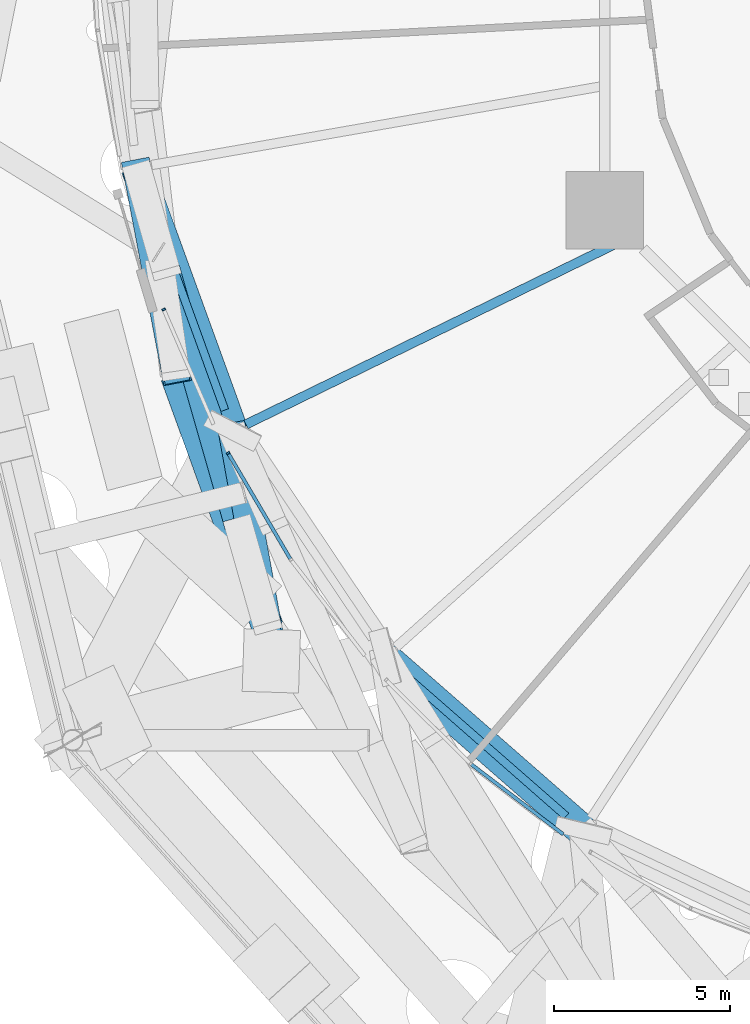
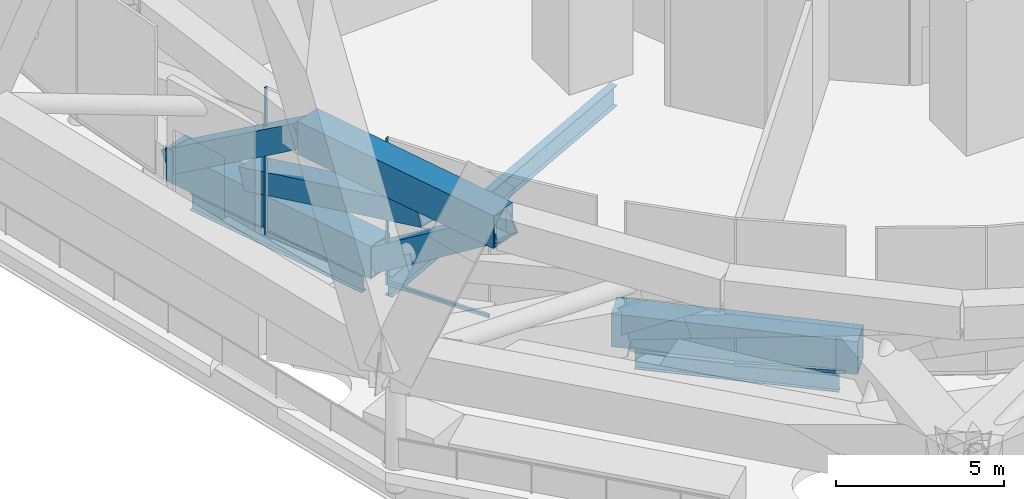
# One storey, part 6 of 65: 9 beams, 4 members, 3 elements without a shape of their own.
"""IFC4 building model written with IfcOpenShell, lengths in metres."""

from ifc_helpers import new_model, si_unit, direction, frame, origin, origin_2d, place, context, subcontext, project, spatial, rectangle, hollow_rectangle, i_section, extrude, material, layer, layer_set, material_profile, profile_set, type_object, element, aggregate, save


model = new_model("IFC4")

# Units and contexts
model_context = context("Model", 3, precision=1e-05, world=origin(), true_north=direction((0.0, 1.0)))
body_context = subcontext(model_context, "Body", "Model", "MODEL_VIEW")
ifc_project = project(units=[si_unit("LENGTHUNIT", "METRE"), si_unit("AREAUNIT", "SQUARE_METRE"), si_unit("VOLUMEUNIT", "CUBIC_METRE"), si_unit("PLANEANGLEUNIT", "RADIAN"), si_unit("MASSUNIT", "GRAM", prefix="KILO")], contexts=[model_context])

# Site, building, storey
site_placement = place(None, origin())
site = spatial("IfcSite", under=ifc_project, at=site_placement, CompositionType="ELEMENT")
building_placement = place(site_placement, origin())
building = spatial("IfcBuilding", under=site, at=building_placement, Name="Nagisa Residences", CompositionType="ELEMENT")
storey_placement = place(building_placement, frame((0.0, 0.0, 114.0)))
storey = spatial("IfcBuildingStorey", under=building, at=storey_placement, Name="L28", CompositionType="ELEMENT", Elevation=114.0)

# Beams
ifc_material_1 = material(Name="Steel ASTM A572 Gr 50", Category="steel")
ifc_material_profile_1 = material_profile(ifc_material_1, hollow_rectangle(XDim=0.89990234375, YDim=1.199951171875, WallThickness=0.050048828125, at=origin_2d()), Name="BX 900x1200x50")
ifc_profile_set_1 = profile_set([ifc_material_profile_1], Name="Steel ASTM A572 Gr 50")
beam_type_1 = type_object("IfcBeamType", Name="Belt chord 2 BX 900x1200x50", PredefinedType="BEAM", material=ifc_profile_set_1)
beam_1_placement = place(storey_placement, frame((-28.068359375, -4.90966796875, 0.60009765625), z_axis=(0.341378490928, -0.939925915129, 0.0), x_axis=(0.939925915129, 0.341378490928, 0.0)))
element("IfcBeam", 1, at=beam_1_placement, inside=storey, type_object=beam_type_1, Name="beam:L28:bt2b14", PredefinedType="BEAM", context=body_context, shape_type="SweptSolid", body=[
    extrude(hollow_rectangle(XDim=0.89990234375, YDim=1.199951171875, WallThickness=0.050048828125, at=origin_2d()), origin(), (0.0, 0.0, 1.0), 7.958251953125),
])
beam_2_placement = place(storey_placement, frame((-26.947998046875, -10.80322265625, 4.739990234375), z_axis=(0.341367428201, -0.939929933008, 0.0), x_axis=(0.939929933008, 0.341367428201, 0.0)))
element("IfcBeam", 2, at=beam_2_placement, inside=storey, type_object=beam_type_1, Name="beam:L28:bt2t14", PredefinedType="BEAM", context=body_context, shape_type="SweptSolid", body=[
    extrude(hollow_rectangle(XDim=0.89990234375, YDim=1.199951171875, WallThickness=0.050048828125, at=origin_2d()), origin(), (0.0, 0.0, 1.0), 7.61962890625),
])
beam_3_placement = place(storey_placement, frame((-21.02978515625, -18.813232421875, 0.60009765625), z_axis=(0.752532238076, -0.658555411986, 0.0), x_axis=(0.658555411986, 0.752532238076, 0.0)))
element("IfcBeam", 3, at=beam_3_placement, inside=storey, type_object=beam_type_1, Name="beam:L28:bt2b16", PredefinedType="BEAM", context=body_context, shape_type="SweptSolid", body=[
    extrude(hollow_rectangle(XDim=0.89990234375, YDim=1.199951171875, WallThickness=0.050048828125, at=origin_2d()), origin(), (0.0, 0.0, 1.0), 7.484375),
])
ifc_material_2 = material(Name="Steel ASTM A572 Gr 50", Category="steel")
ifc_material_profile_2 = material_profile(ifc_material_2, hollow_rectangle(XDim=0.800048828125, YDim=0.800048828125, WallThickness=0.044921875, at=origin_2d()), Name="BX 800x800x45")
ifc_profile_set_2 = profile_set([ifc_material_profile_2], Name="Steel ASTM A572 Gr 50")
beam_type_2 = type_object("IfcBeamType", Name="Belt diagonal 2 BX 800x800x45", PredefinedType="BEAM", material=ifc_profile_set_2)
beam_4_placement = place(storey_placement, frame((-28.068359375, -4.90966796875, 0.60009765625), z_axis=(0.153708100819, -0.808566910825, 0.567973036738), x_axis=(0.98240653629, 0.186754912802, 0.0)))
element("IfcBeam", 4, at=beam_4_placement, inside=storey, type_object=beam_type_2, Name="beam:L28:bt2da14", PredefinedType="BEAM", context=body_context, shape_type="SweptSolid", body=[
    extrude(hollow_rectangle(XDim=0.800048828125, YDim=0.800048828125, WallThickness=0.044921875, at=origin_2d()), origin(), (0.0, 0.0, 1.0), 7.288818359375),
])
beam_5_placement = place(storey_placement, frame((-27.21435546875, -7.905517578125, 1.550048828125), z_axis=(0.262197972498, -0.919870733394, 0.291702000445), x_axis=(0.961695597402, 0.274119641647, 0.0)))
element("IfcBeam", 5, at=beam_5_placement, inside=storey, type_object=beam_type_2, Name="beam:L28:bt2db14", PredefinedType="BEAM", context=body_context, shape_type="SweptSolid", body=[
    extrude(hollow_rectangle(XDim=0.800048828125, YDim=0.800048828125, WallThickness=0.044921875, at=origin_2d()), origin(), (0.0, 0.0, 1.0), 7.678955078125),
])
beam_6_placement = place(storey_placement, frame((-25.3515625, -12.389892578125, 0.60009765625), z_axis=(0.143182978123, -0.794587238982, 0.590025215074), x_axis=(0.984149343054, 0.177341677468, 0.0)))
element("IfcBeam", 6, at=beam_6_placement, inside=storey, type_object=beam_type_2, Name="beam:L28:bt2da15", PredefinedType="BEAM", context=body_context, shape_type="SweptSolid", body=[
    extrude(hollow_rectangle(XDim=0.800048828125, YDim=0.800048828125, WallThickness=0.044921875, at=origin_2d()), origin(), (0.0, 0.0, 1.0), 7.016357421875),
])

# Curtain wall, member
ifc_material_3 = material(Name="Aluminium curtain wall system", Category="aluminium")
ifc_layer = layer(ifc_material_3, 0.159912109375)
ifc_layer_set = layer_set([ifc_layer], Name="CW5 CURTAIN WALL")
curtain_wall_type = type_object("IfcCurtainWallType", Name="CW5 CURTAIN WALL", PredefinedType="NOTDEFINED", material=ifc_layer_set)
curtain_wall_1_placement = place(storey_placement, origin())
curtain_wall_1 = element("IfcCurtainWall", 7, at=curtain_wall_1_placement, inside=storey, type_object=curtain_wall_type, Name="cw:CW5:L28:27", PredefinedType="NOTDEFINED")
ifc_material_4 = material(Name="Aluminium", Category="aluminium")
ifc_material_profile_3 = material_profile(ifc_material_4, rectangle(XDim=0.10009765625, YDim=0.06005859375, at=origin_2d()), Name="CW5 MULLION 100x60")
ifc_profile_set_3 = profile_set([ifc_material_profile_3], Name="Aluminium")
member_type_1 = type_object("IfcMemberType", Name="CW5 MULLION 100x60", PredefinedType="MULLION", material=ifc_profile_set_3)
member_1_placement = place(storey_placement, frame((-27.301513671875, -8.938232421875, 0.0), z_axis=(0.0, 0.0, 1.0), x_axis=(0.917543276295, 0.397635934147, 0.0)))
member_1 = element("IfcMember", 8, at=member_1_placement, type_object=member_type_1, Name="CW5 mullion", PredefinedType="MULLION", context=body_context, shape_type="SweptSolid", body=[
    extrude(rectangle(XDim=0.10009765625, YDim=0.06005859375, at=origin_2d()), origin(), (0.0, 0.0, 1.0), 5.340087890625),
])
aggregate(curtain_wall_1, [member_1])

# Curtain wall, members
curtain_wall_2_placement = place(storey_placement, origin())
curtain_wall_2 = element("IfcCurtainWall", 9, at=curtain_wall_2_placement, inside=storey, type_object=curtain_wall_type, Name="cw:CW5:L28:28", PredefinedType="NOTDEFINED")
member_2_placement = place(storey_placement, frame((-25.47265625, -13.01318359375, 0.0), z_axis=(0.0, 0.0, 1.0), x_axis=(0.862328898214, 0.506348567002, 0.0)))
member_2 = element("IfcMember", 10, at=member_2_placement, type_object=member_type_1, Name="CW5 mullion", PredefinedType="MULLION", context=body_context, shape_type="SweptSolid", body=[
    extrude(rectangle(XDim=0.10009765625, YDim=0.06005859375, at=origin_2d()), origin(), (0.0, 0.0, 1.0), 5.340087890625),
])
ifc_material_5 = material(Name="Aluminium", Category="aluminium")
ifc_material_profile_4 = material_profile(ifc_material_5, rectangle(XDim=0.10009765625, YDim=0.1201171875, at=origin_2d()), Name="CW5 TRANSOM 100x120")
ifc_profile_set_4 = profile_set([ifc_material_profile_4], Name="Aluminium")
member_type_2 = type_object("IfcMemberType", Name="CW5 TRANSOM 100x120", PredefinedType="USERDEFINED", material=ifc_profile_set_4)
member_3_placement = place(storey_placement, frame((-25.48779296875, -12.9873046875, 0.06005859375), z_axis=(0.506375259565, -0.862313224125, 0.0), x_axis=(0.862313224125, 0.506375259565, 0.0)))
member_3 = element("IfcMember", 11, at=member_3_placement, type_object=member_type_2, Name="CW5 transom", ObjectType="TRANSOM", PredefinedType="USERDEFINED", context=body_context, shape_type="SweptSolid", body=[
    extrude(rectangle(XDim=0.10009765625, YDim=0.1201171875, at=origin_2d()), origin(), (0.0, 0.0, 1.0), 3.52490234375),
])
aggregate(curtain_wall_2, [member_2, member_3])

# Curtain wall, member
curtain_wall_3_placement = place(storey_placement, origin())
curtain_wall_3 = element("IfcCurtainWall", 12, at=curtain_wall_3_placement, inside=storey, type_object=curtain_wall_type, Name="cw:CW5:L28:31", PredefinedType="NOTDEFINED")
member_4_placement = place(storey_placement, frame((-18.611328125, -21.821044921875, 0.06005859375), z_axis=(0.796019659738, -0.605270766939, 0.0), x_axis=(0.605270766939, 0.796019659738, 0.0)))
member_4 = element("IfcMember", 13, at=member_4_placement, type_object=member_type_2, Name="CW5 transom", ObjectType="TRANSOM", PredefinedType="USERDEFINED", context=body_context, shape_type="SweptSolid", body=[
    extrude(rectangle(XDim=0.10009765625, YDim=0.1201171875, at=origin_2d()), origin(), (0.0, 0.0, 1.0), 3.334228515625),
])
aggregate(curtain_wall_3, [member_4])

# Beams
ifc_material_6 = material(Name="Steel ASTM A572 Gr 50", Category="steel")
ifc_material_profile_5 = material_profile(ifc_material_6, i_section(OverallWidth=0.22900390625, OverallDepth=0.612060546875, WebThickness=0.011962890625, FlangeThickness=0.01953125, at=origin_2d()), Name="W610x125")
ifc_profile_set_5 = profile_set([ifc_material_profile_5], Name="Steel ASTM A572 Gr 50")
beam_type_3 = type_object("IfcBeamType", Name="Perimeter ring beam W610x125", PredefinedType="BEAM", material=ifc_profile_set_5)
beam_7_placement = place(storey_placement, frame((-27.851806640625, -5.505859375, -0.656005859375), z_axis=(0.341365002286, -0.939930814057, 0.0), x_axis=(0.939930814057, 0.341365002286, 0.0)))
element("IfcBeam", 14, at=beam_7_placement, inside=storey, type_object=beam_type_3, Name="beam:L28:pb14", PredefinedType="BEAM", context=body_context, shape_type="SweptSolid", body=[
    extrude(i_section(OverallWidth=0.22900390625, OverallDepth=0.612060546875, WebThickness=0.011962890625, FlangeThickness=0.01953125, at=origin_2d()), origin(), (0.0, 0.0, 1.0), 6.689208984375),
])
beam_8_placement = place(storey_placement, frame((-20.551513671875, -19.231689453125, -0.656005859375), z_axis=(0.752542612886, -0.658543556488, 0.0), x_axis=(0.658543556488, 0.752542612886, 0.0)))
element("IfcBeam", 15, at=beam_8_placement, inside=storey, type_object=beam_type_3, Name="beam:L28:pb16", PredefinedType="BEAM", context=body_context, shape_type="SweptSolid", body=[
    extrude(i_section(OverallWidth=0.22900390625, OverallDepth=0.612060546875, WebThickness=0.011962890625, FlangeThickness=0.01953125, at=origin_2d()), origin(), (0.0, 0.0, 1.0), 6.212646484375),
])
ifc_material_7 = material(Name="Steel ASTM A572 Gr 50", Category="steel")
ifc_material_profile_6 = material_profile(ifc_material_7, i_section(OverallWidth=0.264892578125, OverallDepth=0.7529296875, WebThickness=0.01318359375, FlangeThickness=0.01708984375, at=origin_2d()), Name="W760x147")
ifc_profile_set_6 = profile_set([ifc_material_profile_6], Name="Steel ASTM A572 Gr 50")
beam_type_4 = type_object("IfcBeamType", Name="Radial beam W760x147", PredefinedType="BEAM", material=ifc_profile_set_6)
beam_9_placement = place(storey_placement, frame((-24.965087890625, -12.200927734375, -0.7265625), z_axis=(0.898445634309, 0.439084777909, 0.0), x_axis=(-0.439084777909, 0.898445634309, 0.0)))
element("IfcBeam", 16, at=beam_9_placement, inside=storey, type_object=beam_type_4, Name="beam:L28:rb15", PredefinedType="BEAM", context=body_context, shape_type="SweptSolid", body=[
    extrude(i_section(OverallWidth=0.264892578125, OverallDepth=0.7529296875, WebThickness=0.01318359375, FlangeThickness=0.01708984375, at=origin_2d()), origin(), (0.0, 0.0, 1.0), 12.016845703125),
])

save(model, "model.ifc")
